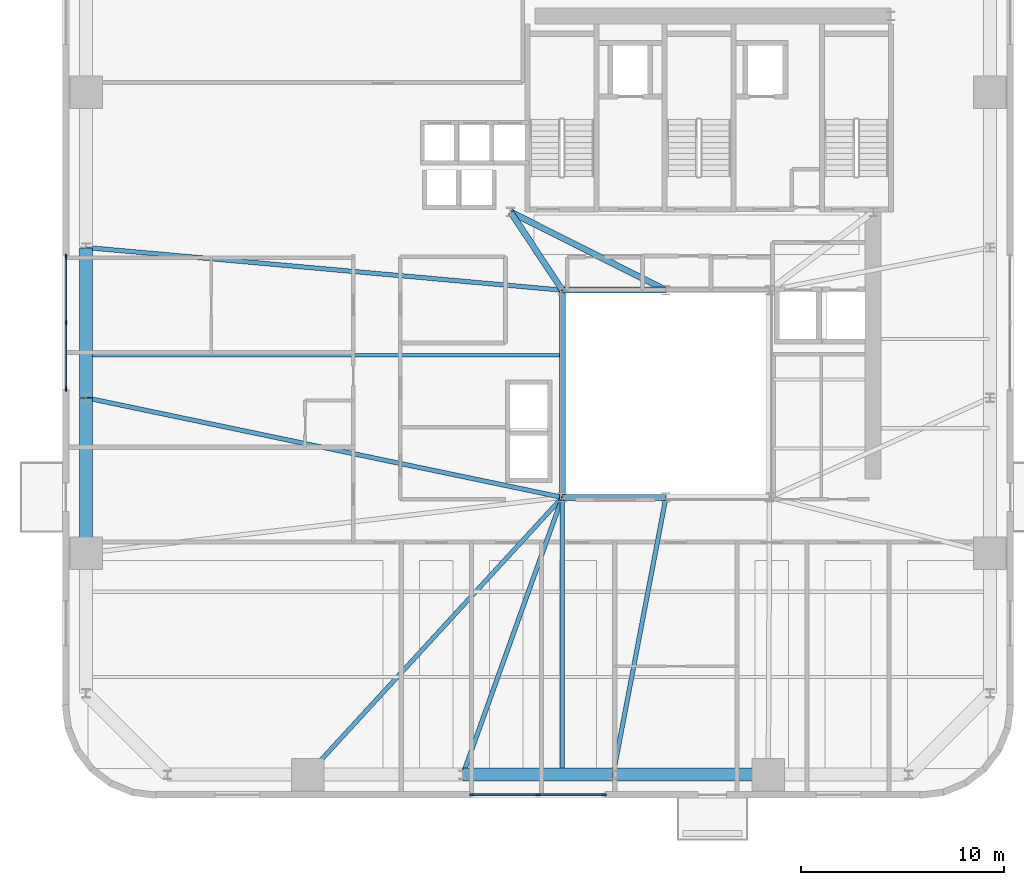
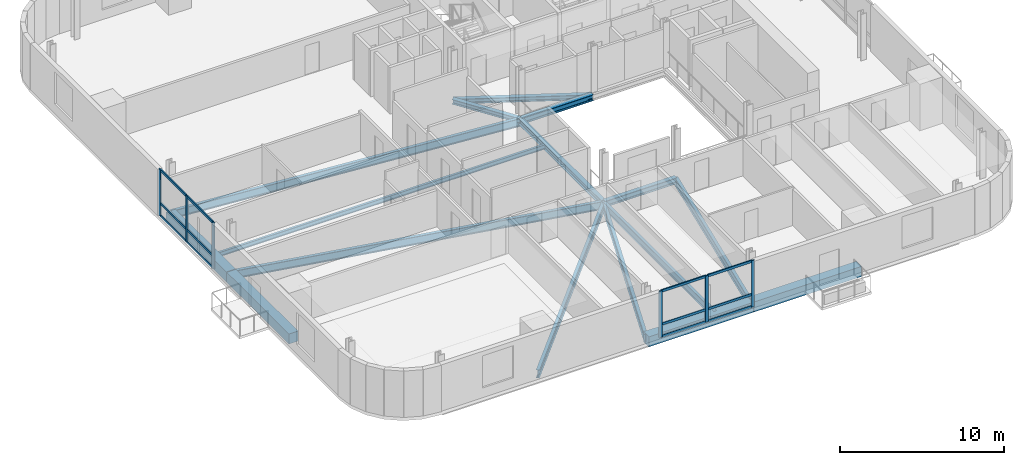
# One storey, part 2 of 11: 18 members, 16 beams, 2 elements without a shape of their own.
"""IFC4 building model written with IfcOpenShell, lengths in metres."""

from ifc_helpers import new_model, si_unit, direction, frame, origin, origin_2d, place, context, subcontext, project, spatial, rectangle, i_section, extrude, source, transform, mapped, material, material_profile, profile_set, type_object, element, aggregate, save


model = new_model("IFC4")

# Units and contexts
model_context = context("Model", 3, precision=1e-05, world=origin(), true_north=direction((0.0, 1.0)))
body_context = subcontext(model_context, "Body", "Model", "MODEL_VIEW")
ifc_project = project(units=[si_unit("LENGTHUNIT", "METRE"), si_unit("AREAUNIT", "SQUARE_METRE"), si_unit("VOLUMEUNIT", "CUBIC_METRE"), si_unit("PLANEANGLEUNIT", "RADIAN"), si_unit("MASSUNIT", "GRAM", prefix="KILO")], contexts=[model_context])

# Site, building, storey
site_placement = place(None, origin())
site = spatial("IfcSite", under=ifc_project, at=site_placement, CompositionType="ELEMENT")
building_placement = place(site_placement, origin())
building = spatial("IfcBuilding", under=site, at=building_placement, Name="Vardaveli Station Tower", CompositionType="ELEMENT")
storey_placement = place(building_placement, frame((0.0, 0.0, 137.199951171875)))
storey = spatial("IfcBuildingStorey", under=building, at=storey_placement, Name="L35", CompositionType="ELEMENT", Elevation=137.199951171875)

# Beams
ifc_material_1 = material(Name="Structural steel S355J2", Category="steel")
ifc_material_profile_1 = material_profile(ifc_material_1, i_section(OverallWidth=0.300048828125, OverallDepth=0.449951171875, WebThickness=0.013916015625, FlangeThickness=0.02587890625, FilletRadius=0.027099609375, at=origin_2d()), Name="HEB 450")
ifc_profile_set_1 = profile_set([ifc_material_profile_1], Name="Structural steel S355J2")
beam_type_1 = type_object("IfcBeamType", Name="BM-HEB450", PredefinedType="BEAM", material=ifc_profile_set_1)
shared_shape_1 = source(origin(), body_context, "Body", "SweptSolid", [
    extrude(i_section(OverallWidth=0.300048828125, OverallDepth=0.449951171875, WebThickness=0.013916015625, FlangeThickness=0.02587890625, FilletRadius=0.027099609375, at=origin_2d()), origin(), (0.0, 0.0, 1.0), 5.06005859375),
])
for number, where, z_axis, x_axis, name in (
    (1, (31.219970703125, 16.60009765625, -0.46484375), (1.0, 0.0, 0.0), (0.0, 1.0, 0.0), "ABM-L35-01"),
    (2, (36.280029296875, 26.800048828125, -0.46484375), (-1.0, 0.0, 0.0), (0.0, -1.0, 0.0), "ABM-L35-05"),
):
    element("IfcBeam", number, at=place(storey_placement, frame(where, z_axis=z_axis, x_axis=x_axis)), inside=storey, type_object=beam_type_1, Name=name, PredefinedType="BEAM", context=body_context, shape_type="MappedRepresentation", body=[
        mapped(shared_shape_1, transform((0.0, 0.0, 0.0), scale=1.0)),
    ])
shared_shape_2 = source(origin(), body_context, "Body", "SweptSolid", [
    extrude(i_section(OverallWidth=0.300048828125, OverallDepth=0.449951171875, WebThickness=0.013916015625, FlangeThickness=0.02587890625, FilletRadius=0.027099609375, at=origin_2d()), origin(), (0.0, 0.0, 1.0), 10.159912109375),
])
beam_1_placement = place(storey_placement, frame((31.199951171875, 26.780029296875, -0.46484375), z_axis=(0.0, -1.0, 0.0), x_axis=(1.0, 0.0, 0.0)))
element("IfcBeam", 3, at=beam_1_placement, inside=storey, type_object=beam_type_1, Name="ABM-L35-06", PredefinedType="BEAM", context=body_context, shape_type="MappedRepresentation", body=[
    mapped(shared_shape_2, transform((0.0, 0.0, 0.0), scale=1.0)),
])
ifc_material_profile_2 = material_profile(ifc_material_1, i_section(OverallWidth=0.300048828125, OverallDepth=0.360107421875, WebThickness=0.012451171875, FlangeThickness=0.0224609375, FilletRadius=0.027099609375, at=origin_2d()), Name="HEB 360")
ifc_profile_set_2 = profile_set([ifc_material_profile_2], Name="Structural steel S355J2")
beam_type_2 = type_object("IfcBeamType", Name="BM-HEB360", PredefinedType="BEAM", material=ifc_profile_set_2)
shared_shape_3 = source(origin(), body_context, "Body", "SweptSolid", [
    extrude(i_section(OverallWidth=0.300048828125, OverallDepth=0.360107421875, WebThickness=0.012451171875, FlangeThickness=0.0224609375, FilletRadius=0.027099609375, at=origin_2d()), origin(), (0.0, 0.0, 1.0), 4.577880859375),
])
beam_2_placement = place(storey_placement, frame((31.18896484375, 26.816650390625, -0.419921875), z_axis=(-0.55218702139, 0.833720272879, 0.0), x_axis=(-0.833720272879, -0.55218702139, 0.0)))
element("IfcBeam", 4, at=beam_2_placement, inside=storey, type_object=beam_type_2, Name="CBM-L35-01", PredefinedType="BEAM", context=body_context, shape_type="MappedRepresentation", body=[
    mapped(shared_shape_3, transform((0.0, 0.0, 0.0), scale=1.0)),
])
shared_shape_4 = source(origin(), body_context, "Body", "SweptSolid", [
    extrude(i_section(OverallWidth=0.300048828125, OverallDepth=0.360107421875, WebThickness=0.012451171875, FlangeThickness=0.0224609375, FilletRadius=0.027099609375, at=origin_2d()), origin(), (0.0, 0.0, 1.0), 8.524169921875),
])
beam_3_placement = place(storey_placement, frame((28.66796875, 30.64111328125, -0.419921875), z_axis=(0.893255584708, -0.449549174605, 0.0), x_axis=(0.449549174605, 0.893255584708, 0.0)))
element("IfcBeam", 5, at=beam_3_placement, inside=storey, type_object=beam_type_2, Name="CBM-L35-03", PredefinedType="BEAM", context=body_context, shape_type="MappedRepresentation", body=[
    mapped(shared_shape_4, transform((0.0, 0.0, 0.0), scale=1.0)),
])
ifc_material_2 = material(Name="Precast concrete C45/55", Category="concrete")
ifc_material_profile_3 = material_profile(ifc_material_2, rectangle(XDim=0.64990234375, YDim=0.75, at=origin_2d()), Name="LPB 650x750")
ifc_profile_set_3 = profile_set([ifc_material_profile_3], Name="Precast concrete C45/55")
beam_type_3 = type_object("IfcBeamType", Name="BM-LPB-750", PredefinedType="BEAM", material=ifc_profile_set_3)
shared_shape_5 = source(origin(), body_context, "Body", "SweptSolid", [
    extrude(rectangle(XDim=0.64990234375, YDim=0.75, at=origin_2d()), origin(), (0.0, 0.0, 1.0), 7.60009765625),
])
for number, where, z_axis, x_axis, name in (
    (6, (33.719970703125, 2.949951171875, -0.614990234375), (1.0, 0.0, 0.0), (0.0, 1.0, 0.0), "RBM-L35-03"),
    (7, (7.75, 21.47998046875, -0.614990234375), (0.0, -1.0, 0.0), (1.0, 0.0, 0.0), "RBM-L35-21"),
):
    element("IfcBeam", number, at=place(storey_placement, frame(where, z_axis=z_axis, x_axis=x_axis)), inside=storey, type_object=beam_type_3, Name=name, PredefinedType="BEAM", context=body_context, shape_type="MappedRepresentation", body=[
        mapped(shared_shape_5, transform((0.0, 0.0, 0.0), scale=1.0)),
    ])
shared_shape_6 = source(origin(), body_context, "Body", "SweptSolid", [
    extrude(rectangle(XDim=0.64990234375, YDim=0.75, at=origin_2d()), origin(), (0.0, 0.0, 1.0), 7.35986328125),
])
for number, where, z_axis, x_axis, name in (
    (8, (26.320068359375, 2.949951171875, -0.614990234375), (1.0, 0.0, 0.0), (0.0, 1.0, 0.0), "RBM-L35-02"),
    (9, (7.75, 28.8798828125, -0.614990234375), (0.0, -1.0, 0.0), (1.0, 0.0, 0.0), "RBM-L35-20"),
):
    element("IfcBeam", number, at=place(storey_placement, frame(where, z_axis=z_axis, x_axis=x_axis)), inside=storey, type_object=beam_type_3, Name=name, PredefinedType="BEAM", context=body_context, shape_type="MappedRepresentation", body=[
        mapped(shared_shape_6, transform((0.0, 0.0, 0.0), scale=1.0)),
    ])
ifc_material_profile_4 = material_profile(ifc_material_1, i_section(OverallWidth=0.2099609375, OverallDepth=0.550048828125, WebThickness=0.010986328125, FlangeThickness=0.01708984375, FilletRadius=0.02392578125, at=origin_2d()), Name="IPE 550")
ifc_profile_set_4 = profile_set([ifc_material_profile_4], Name="Structural steel S355J2")
beam_type_4 = type_object("IfcBeamType", Name="BM-IPE550", PredefinedType="BEAM", material=ifc_profile_set_4)
shared_shape_7 = source(origin(), body_context, "Body", "SweptSolid", [
    extrude(i_section(OverallWidth=0.2099609375, OverallDepth=0.550048828125, WebThickness=0.010986328125, FlangeThickness=0.01708984375, FilletRadius=0.02392578125, at=origin_2d()), origin(), (0.0, 0.0, 1.0), 13.469970703125),
])
beam_4_placement = place(storey_placement, frame((31.199951171875, 2.989990234375, -0.514892578125), z_axis=(0.0, 1.0, 0.0), x_axis=(-1.0, 0.0, 0.0)))
element("IfcBeam", 10, at=beam_4_placement, inside=storey, type_object=beam_type_4, Name="NSM-L35-S1", PredefinedType="BEAM", context=body_context, shape_type="MappedRepresentation", body=[
    mapped(shared_shape_7, transform((0.0, 0.0, 0.0), scale=1.0)),
])
ifc_material_profile_5 = material_profile(ifc_material_1, i_section(OverallWidth=0.159912109375, OverallDepth=0.330078125, WebThickness=0.007568359375, FlangeThickness=0.011474609375, FilletRadius=0.01806640625, at=origin_2d()), Name="IPE 330")
ifc_profile_set_5 = profile_set([ifc_material_profile_5], Name="Structural steel S355J2")
beam_type_5 = type_object("IfcBeamType", Name="BM-IPE330", PredefinedType="JOIST", material=ifc_profile_set_5)
shared_shape_8 = source(origin(), body_context, "Body", "SweptSolid", [
    extrude(i_section(OverallWidth=0.159912109375, OverallDepth=0.330078125, WebThickness=0.007568359375, FlangeThickness=0.011474609375, FilletRadius=0.01806640625, at=origin_2d()), origin(), (0.0, 0.0, 1.0), 23.2978515625),
])
beam_5_placement = place(storey_placement, frame((7.7900390625, 23.60009765625, -0.405029296875), z_axis=(1.0, 0.0, 0.0), x_axis=(0.0, 1.0, 0.0)))
element("IfcBeam", 11, at=beam_5_placement, inside=storey, type_object=beam_type_5, Name="SJ-L35-W06", PredefinedType="JOIST", context=body_context, shape_type="MappedRepresentation", body=[
    mapped(shared_shape_8, transform((0.0, 0.0, 0.0), scale=1.0)),
])
ifc_material_profile_6 = material_profile(ifc_material_1, i_section(OverallWidth=0.219970703125, OverallDepth=0.60009765625, WebThickness=0.011962890625, FlangeThickness=0.01904296875, FilletRadius=0.02392578125, at=origin_2d()), Name="IPE 600")
ifc_profile_set_6 = profile_set([ifc_material_profile_6], Name="Structural steel S355J2")
beam_type_6 = type_object("IfcBeamType", Name="BM-IPE600", PredefinedType="BEAM", material=ifc_profile_set_6)
shared_shape_9 = source(origin(), body_context, "Body", "SweptSolid", [
    extrude(i_section(OverallWidth=0.219970703125, OverallDepth=0.60009765625, WebThickness=0.011962890625, FlangeThickness=0.01904296875, FilletRadius=0.02392578125, at=origin_2d()), origin(), (0.0, 0.0, 1.0), 18.49560546875),
])
beam_6_placement = place(storey_placement, frame((18.673583984375, 2.96484375, -0.5400390625), z_axis=(0.676535341891, 0.736410165039, 0.0), x_axis=(-0.736410165039, 0.676535341891, 0.0)))
element("IfcBeam", 12, at=beam_6_placement, inside=storey, type_object=beam_type_6, Name="GBM-L35-01", PredefinedType="BEAM", context=body_context, shape_type="MappedRepresentation", body=[
    mapped(shared_shape_9, transform((0.0, 0.0, 0.0), scale=1.0)),
])
shared_shape_10 = source(origin(), body_context, "Body", "SweptSolid", [
    extrude(i_section(OverallWidth=0.219970703125, OverallDepth=0.60009765625, WebThickness=0.011962890625, FlangeThickness=0.01904296875, FilletRadius=0.02392578125, at=origin_2d()), origin(), (0.0, 0.0, 1.0), 14.462890625),
])
beam_7_placement = place(storey_placement, frame((26.306640625, 2.96875, -0.5400390625), z_axis=(0.337880090533, 0.941189165057, 0.0), x_axis=(-0.941189165057, 0.337880090533, 0.0)))
element("IfcBeam", 13, at=beam_7_placement, inside=storey, type_object=beam_type_6, Name="GBM-L35-02", PredefinedType="BEAM", context=body_context, shape_type="MappedRepresentation", body=[
    mapped(shared_shape_10, transform((0.0, 0.0, 0.0), scale=1.0)),
])
shared_shape_11 = source(origin(), body_context, "Body", "SweptSolid", [
    extrude(i_section(OverallWidth=0.219970703125, OverallDepth=0.60009765625, WebThickness=0.011962890625, FlangeThickness=0.01904296875, FilletRadius=0.02392578125, at=origin_2d()), origin(), (0.0, 0.0, 1.0), 13.855224609375),
])
beam_8_placement = place(storey_placement, frame((33.703857421875, 2.9697265625, -0.5400390625), z_axis=(0.187097533125, 0.982341342456, 0.0), x_axis=(-0.982341342456, 0.187097533125, 0.0)))
element("IfcBeam", 14, at=beam_8_placement, inside=storey, type_object=beam_type_6, Name="GBM-L35-03", PredefinedType="BEAM", context=body_context, shape_type="MappedRepresentation", body=[
    mapped(shared_shape_11, transform((0.0, 0.0, 0.0), scale=1.0)),
])
shared_shape_12 = source(origin(), body_context, "Body", "SweptSolid", [
    extrude(i_section(OverallWidth=0.219970703125, OverallDepth=0.60009765625, WebThickness=0.011962890625, FlangeThickness=0.01904296875, FilletRadius=0.02392578125, at=origin_2d()), origin(), (0.0, 0.0, 1.0), 23.50390625),
])
beam_9_placement = place(storey_placement, frame((7.77001953125, 28.898193359375, -0.5400390625), z_axis=(0.996014142198, -0.08919545135, 0.0), x_axis=(0.08919545135, 0.996014142198, 0.0)))
element("IfcBeam", 15, at=beam_9_placement, inside=storey, type_object=beam_type_6, Name="GBM-L35-08", PredefinedType="BEAM", context=body_context, shape_type="MappedRepresentation", body=[
    mapped(shared_shape_12, transform((0.0, 0.0, 0.0), scale=1.0)),
])
shared_shape_13 = source(origin(), body_context, "Body", "SweptSolid", [
    extrude(i_section(OverallWidth=0.219970703125, OverallDepth=0.60009765625, WebThickness=0.011962890625, FlangeThickness=0.01904296875, FilletRadius=0.02392578125, at=origin_2d()), origin(), (0.0, 0.0, 1.0), 23.91650390625),
])
beam_10_placement = place(storey_placement, frame((7.76953125, 21.495849609375, -0.5400390625), z_axis=(0.978858547354, -0.204538368703, 0.0), x_axis=(0.204538368703, 0.978858547354, 0.0)))
element("IfcBeam", 16, at=beam_10_placement, inside=storey, type_object=beam_type_6, Name="GBM-L35-09", PredefinedType="BEAM", context=body_context, shape_type="MappedRepresentation", body=[
    mapped(shared_shape_13, transform((0.0, 0.0, 0.0), scale=1.0)),
])

# Curtain wall, members
ifc_material_3 = material(Name="Travertine stone and solar-control glass", Category="masonry")
curtain_wall_type = type_object("IfcCurtainWallType", Name="CW-SYS-2", PredefinedType="NOTDEFINED", material=ifc_material_3)
curtain_wall_1_placement = place(storey_placement, origin())
curtain_wall_1 = element("IfcCurtainWall", 17, at=curtain_wall_1_placement, inside=storey, type_object=curtain_wall_type, Name="CW-L35-S", PredefinedType="NOTDEFINED")
ifc_material_4 = material(Name="Anodised aluminium alloy 6063-T6", Category="aluminium")
ifc_material_profile_7 = material_profile(ifc_material_4, rectangle(XDim=0.0849609375, YDim=0.179931640625, at=origin_2d()), Name="CWT 85x180")
ifc_profile_set_7 = profile_set([ifc_material_profile_7], Name="Anodised aluminium alloy 6063-T6")
member_type_1 = type_object("IfcMemberType", Name="CW-SYS-2-TRAN", PredefinedType="NOTDEFINED", material=ifc_profile_set_7)
shared_shape_14 = source(origin(), body_context, "Body", "SweptSolid", [
    extrude(rectangle(XDim=0.0849609375, YDim=0.179931640625, at=origin_2d()), origin(), (0.0, 0.0, 1.0), 3.172607421875),
])
member_1_placement = place(storey_placement, frame((26.784912109375, 1.9599609375, 0.04248046875), z_axis=(1.0, 0.0, 0.0), x_axis=(0.0, 1.0, 0.0)))
member_1 = element("IfcMember", 18, at=member_1_placement, type_object=member_type_1, Name="CW-2 transom 1.1", ObjectType="TRANSOM", PredefinedType="USERDEFINED", context=body_context, shape_type="MappedRepresentation", body=[
    mapped(shared_shape_14, transform((0.0, 0.0, 0.0), scale=1.0)),
])
member_2_placement = place(storey_placement, frame((26.784912109375, 1.9599609375, 0.949951171875), z_axis=(1.0, 0.0, 0.0), x_axis=(0.0, 1.0, 0.0)))
member_2 = element("IfcMember", 19, at=member_2_placement, type_object=member_type_1, Name="CW-2 transom 1.2", ObjectType="TRANSOM", PredefinedType="USERDEFINED", context=body_context, shape_type="MappedRepresentation", body=[
    mapped(shared_shape_14, transform((0.0, 0.0, 0.0), scale=1.0)),
])
member_3_placement = place(storey_placement, frame((26.784912109375, 1.9599609375, 3.41748046875), z_axis=(1.0, 0.0, 0.0), x_axis=(0.0, 1.0, 0.0)))
member_3 = element("IfcMember", 20, at=member_3_placement, type_object=member_type_1, Name="CW-2 transom 1.3", ObjectType="TRANSOM", PredefinedType="USERDEFINED", context=body_context, shape_type="MappedRepresentation", body=[
    mapped(shared_shape_14, transform((0.0, 0.0, 0.0), scale=1.0)),
])
member_4_placement = place(storey_placement, frame((30.04248046875, 1.9599609375, 0.04248046875), z_axis=(1.0, 0.0, 0.0), x_axis=(0.0, 1.0, 0.0)))
member_4 = element("IfcMember", 21, at=member_4_placement, type_object=member_type_1, Name="CW-2 transom 2.1", ObjectType="TRANSOM", PredefinedType="USERDEFINED", context=body_context, shape_type="MappedRepresentation", body=[
    mapped(shared_shape_14, transform((0.0, 0.0, 0.0), scale=1.0)),
])
member_5_placement = place(storey_placement, frame((30.04248046875, 1.9599609375, 0.949951171875), z_axis=(1.0, 0.0, 0.0), x_axis=(0.0, 1.0, 0.0)))
member_5 = element("IfcMember", 22, at=member_5_placement, type_object=member_type_1, Name="CW-2 transom 2.2", ObjectType="TRANSOM", PredefinedType="USERDEFINED", context=body_context, shape_type="MappedRepresentation", body=[
    mapped(shared_shape_14, transform((0.0, 0.0, 0.0), scale=1.0)),
])
member_6_placement = place(storey_placement, frame((30.04248046875, 1.9599609375, 3.41748046875), z_axis=(1.0, 0.0, 0.0), x_axis=(0.0, 1.0, 0.0)))
member_6 = element("IfcMember", 23, at=member_6_placement, type_object=member_type_1, Name="CW-2 transom 2.3", ObjectType="TRANSOM", PredefinedType="USERDEFINED", context=body_context, shape_type="MappedRepresentation", body=[
    mapped(shared_shape_14, transform((0.0, 0.0, 0.0), scale=1.0)),
])

curtain_wall_2_placement = place(storey_placement, origin())
curtain_wall_2 = element("IfcCurtainWall", 24, at=curtain_wall_2_placement, inside=storey, type_object=curtain_wall_type, Name="CW-L35-W", PredefinedType="NOTDEFINED")
member_7_placement = place(storey_placement, frame((6.760009765625, 28.4150390625, 0.04248046875), z_axis=(0.0, -1.0, 0.0), x_axis=(1.0, 0.0, 0.0)))
member_7 = element("IfcMember", 25, at=member_7_placement, type_object=member_type_1, Name="CW-2 transom 1.1", ObjectType="TRANSOM", PredefinedType="USERDEFINED", context=body_context, shape_type="MappedRepresentation", body=[
    mapped(shared_shape_14, transform((0.0, 0.0, 0.0), scale=1.0)),
])
member_8_placement = place(storey_placement, frame((6.760009765625, 28.4150390625, 0.949951171875), z_axis=(0.0, -1.0, 0.0), x_axis=(1.0, 0.0, 0.0)))
member_8 = element("IfcMember", 26, at=member_8_placement, type_object=member_type_1, Name="CW-2 transom 1.2", ObjectType="TRANSOM", PredefinedType="USERDEFINED", context=body_context, shape_type="MappedRepresentation", body=[
    mapped(shared_shape_14, transform((0.0, 0.0, 0.0), scale=1.0)),
])
member_9_placement = place(storey_placement, frame((6.760009765625, 28.4150390625, 3.41748046875), z_axis=(0.0, -1.0, 0.0), x_axis=(1.0, 0.0, 0.0)))
member_9 = element("IfcMember", 27, at=member_9_placement, type_object=member_type_1, Name="CW-2 transom 1.3", ObjectType="TRANSOM", PredefinedType="USERDEFINED", context=body_context, shape_type="MappedRepresentation", body=[
    mapped(shared_shape_14, transform((0.0, 0.0, 0.0), scale=1.0)),
])
shared_shape_15 = source(origin(), body_context, "Body", "SweptSolid", [
    extrude(rectangle(XDim=0.0849609375, YDim=0.179931640625, at=origin_2d()), origin(), (0.0, 0.0, 1.0), 3.17236328125),
])
member_10_placement = place(storey_placement, frame((6.760009765625, 25.157470703125, 0.04248046875), z_axis=(0.0, -1.0, 0.0), x_axis=(1.0, 0.0, 0.0)))
member_10 = element("IfcMember", 28, at=member_10_placement, type_object=member_type_1, Name="CW-2 transom 2.1", ObjectType="TRANSOM", PredefinedType="USERDEFINED", context=body_context, shape_type="MappedRepresentation", body=[
    mapped(shared_shape_15, transform((0.0, 0.0, 0.0), scale=1.0)),
])
member_11_placement = place(storey_placement, frame((6.760009765625, 25.157470703125, 0.949951171875), z_axis=(0.0, -1.0, 0.0), x_axis=(1.0, 0.0, 0.0)))
member_11 = element("IfcMember", 29, at=member_11_placement, type_object=member_type_1, Name="CW-2 transom 2.2", ObjectType="TRANSOM", PredefinedType="USERDEFINED", context=body_context, shape_type="MappedRepresentation", body=[
    mapped(shared_shape_15, transform((0.0, 0.0, 0.0), scale=1.0)),
])
member_12_placement = place(storey_placement, frame((6.760009765625, 25.157470703125, 3.41748046875), z_axis=(0.0, -1.0, 0.0), x_axis=(1.0, 0.0, 0.0)))
member_12 = element("IfcMember", 30, at=member_12_placement, type_object=member_type_1, Name="CW-2 transom 2.3", ObjectType="TRANSOM", PredefinedType="USERDEFINED", context=body_context, shape_type="MappedRepresentation", body=[
    mapped(shared_shape_15, transform((0.0, 0.0, 0.0), scale=1.0)),
])

# Member
ifc_material_profile_8 = material_profile(ifc_material_4, rectangle(XDim=0.0849609375, YDim=0.219970703125, at=origin_2d()), Name="CWM 85x220")
ifc_profile_set_8 = profile_set([ifc_material_profile_8], Name="Anodised aluminium alloy 6063-T6")
member_type_2 = type_object("IfcMemberType", Name="CW-SYS-2-MULL", PredefinedType="MULLION", material=ifc_profile_set_8)
shared_shape_16 = source(origin(), body_context, "Body", "SweptSolid", [
    extrude(rectangle(XDim=0.0849609375, YDim=0.219970703125, at=origin_2d()), origin(), (0.0, 0.0, 1.0), 3.4599609375),
])
member_13_placement = place(storey_placement, frame((26.742431640625, 1.9599609375, 0.0), z_axis=(0.0, 0.0, 1.0), x_axis=(0.0, 1.0, 0.0)))
member_13 = element("IfcMember", 31, at=member_13_placement, type_object=member_type_2, Name="CW-2 mullion 1", PredefinedType="MULLION", context=body_context, shape_type="MappedRepresentation", body=[
    mapped(shared_shape_16, transform((0.0, 0.0, 0.0), scale=1.0)),
])

member_14_placement = place(storey_placement, frame((30.0, 1.9599609375, 0.0), z_axis=(0.0, 0.0, 1.0), x_axis=(0.0, 1.0, 0.0)))
member_14 = element("IfcMember", 32, at=member_14_placement, type_object=member_type_2, Name="CW-2 mullion 2", PredefinedType="MULLION", context=body_context, shape_type="MappedRepresentation", body=[
    mapped(shared_shape_16, transform((0.0, 0.0, 0.0), scale=1.0)),
])

member_15_placement = place(storey_placement, frame((33.257568359375, 1.9599609375, 0.0), z_axis=(0.0, 0.0, 1.0), x_axis=(0.0, 1.0, 0.0)))
member_15 = element("IfcMember", 33, at=member_15_placement, type_object=member_type_2, Name="CW-2 mullion 3", PredefinedType="MULLION", context=body_context, shape_type="MappedRepresentation", body=[
    mapped(shared_shape_16, transform((0.0, 0.0, 0.0), scale=1.0)),
])

aggregate(curtain_wall_1, [member_13, member_14, member_15, member_1, member_2, member_3, member_4, member_5, member_6])

member_16_placement = place(storey_placement, frame((6.760009765625, 28.45751953125, 0.0), z_axis=(0.0, 0.0, 1.0), x_axis=(1.0, 0.0, 0.0)))
member_16 = element("IfcMember", 34, at=member_16_placement, type_object=member_type_2, Name="CW-2 mullion 1", PredefinedType="MULLION", context=body_context, shape_type="MappedRepresentation", body=[
    mapped(shared_shape_16, transform((0.0, 0.0, 0.0), scale=1.0)),
])

member_17_placement = place(storey_placement, frame((6.760009765625, 25.199951171875, 0.0), z_axis=(0.0, 0.0, 1.0), x_axis=(1.0, 0.0, 0.0)))
member_17 = element("IfcMember", 35, at=member_17_placement, type_object=member_type_2, Name="CW-2 mullion 2", PredefinedType="MULLION", context=body_context, shape_type="MappedRepresentation", body=[
    mapped(shared_shape_16, transform((0.0, 0.0, 0.0), scale=1.0)),
])

member_18_placement = place(storey_placement, frame((6.760009765625, 21.9423828125, 0.0), z_axis=(0.0, 0.0, 1.0), x_axis=(1.0, 0.0, 0.0)))
member_18 = element("IfcMember", 36, at=member_18_placement, type_object=member_type_2, Name="CW-2 mullion 3", PredefinedType="MULLION", context=body_context, shape_type="MappedRepresentation", body=[
    mapped(shared_shape_16, transform((0.0, 0.0, 0.0), scale=1.0)),
])

aggregate(curtain_wall_2, [member_16, member_17, member_18, member_7, member_8, member_9, member_10, member_11, member_12])

save(model, "model.ifc")
